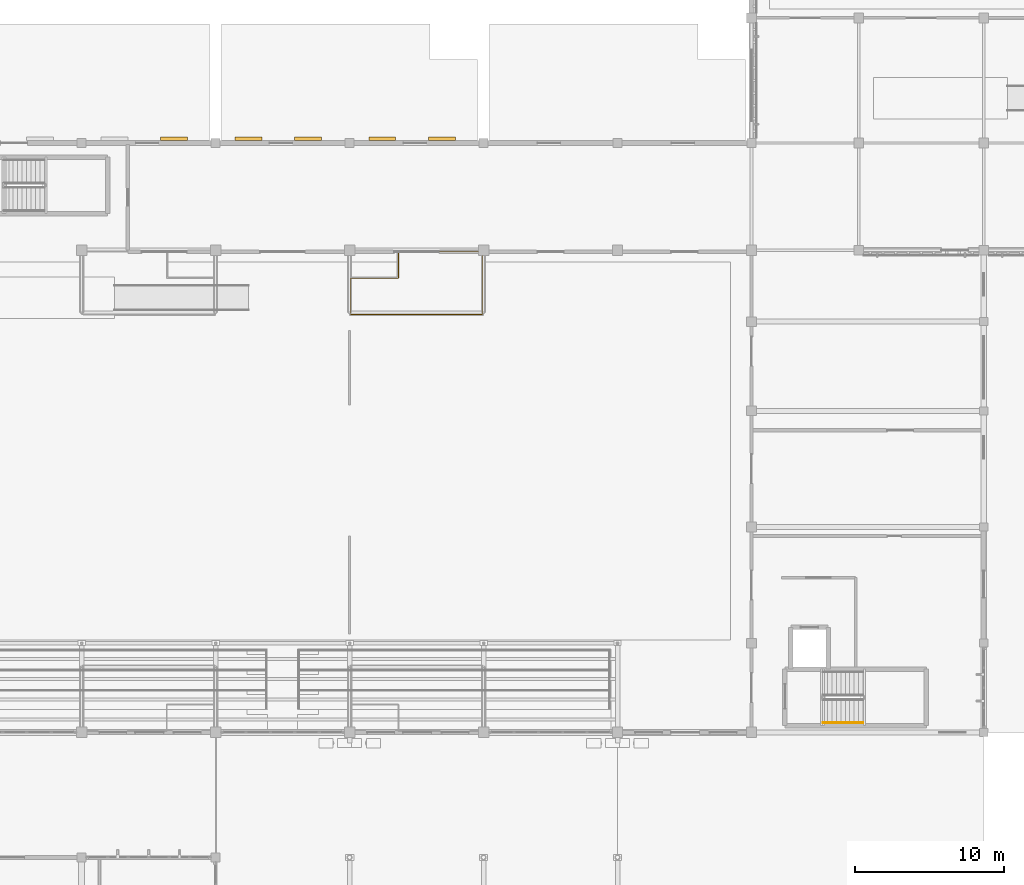
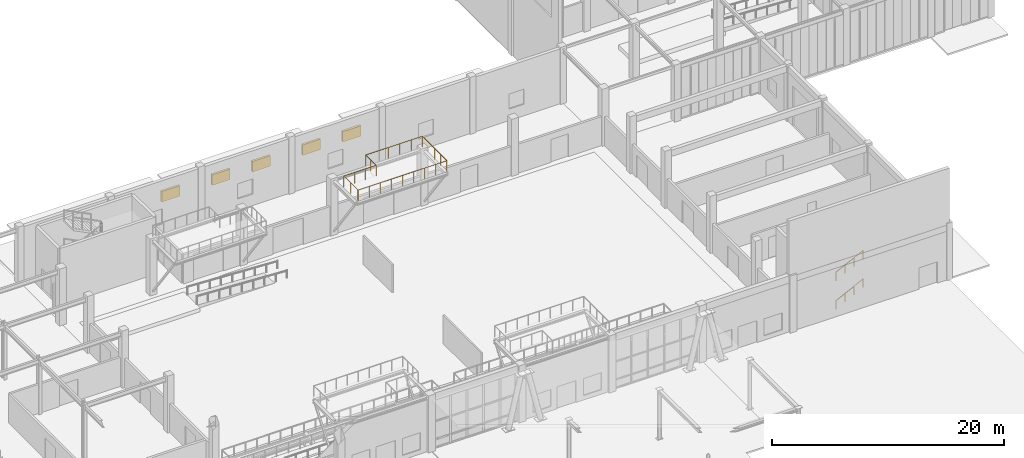
# One storey, part 105 of 110: 5 shading devices, 3 railings.
"""IFC4 building model written with IfcOpenShell, lengths in metres."""

from ifc_helpers import new_model, si_unit, direction, frame, origin, origin_2d, place, context, subcontext, project, spatial, rectangle, circle, extrude, material, type_object, element, save


model = new_model("IFC4")

# Units and contexts
model_context = context("Model", 3, precision=1e-05, world=origin(), true_north=direction((0.0, 1.0)))
body_context = subcontext(model_context, "Body", "Model", "MODEL_VIEW")
ifc_project = project(units=[si_unit("LENGTHUNIT", "METRE"), si_unit("AREAUNIT", "SQUARE_METRE"), si_unit("VOLUMEUNIT", "CUBIC_METRE"), si_unit("PLANEANGLEUNIT", "RADIAN"), si_unit("MASSUNIT", "GRAM", prefix="KILO")], contexts=[model_context])

# Site, building, storey
site_placement = place(None, origin())
site = spatial("IfcSite", under=ifc_project, at=site_placement, CompositionType="ELEMENT")
building_placement = place(site_placement, origin())
building = spatial("IfcBuilding", under=site, at=building_placement, Name="Tizgana Railside Sports Hall", CompositionType="ELEMENT")
storey_placement = place(building_placement, origin())
storey = spatial("IfcBuildingStorey", under=building, at=storey_placement, Name="L00", CompositionType="ELEMENT", Elevation=0.0)

# Shading devices
ifc_material_1 = material(Name="Anodised aluminium", Category="aluminium")
shading_device_type = type_object("IfcShadingDeviceType", Name="Plant Acoustic Weather Louvre", PredefinedType="JALOUSIE", material=ifc_material_1)
for number, where, z_axis, x_axis, name in (
    (1, (95.0, 80.679931640625, 3.25), (0.0, 0.0, 1.0), (1.0, 0.0, 0.0), "L00 Plant Louvre LVR-0004"),
    (2, (100.0, 80.679931640625, 3.25), (0.0, 0.0, 1.0), (1.0, 0.0, 0.0), "L00 Plant Louvre LVR-0005"),
    (3, (104.0, 80.679931640625, 3.25), (0.0, 0.0, 1.0), (1.0, 0.0, 0.0), "L00 Plant Louvre LVR-0006"),
    (4, (109.0, 80.679931640625, 3.25), (0.0, 0.0, 1.0), (1.0, 0.0, 0.0), "L00 Plant Louvre LVR-0007"),
    (5, (113.0, 80.679931640625, 3.25), (0.0, 0.0, 1.0), (1.0, 0.0, 0.0), "L00 Plant Louvre LVR-0008"),
):
    element("IfcShadingDevice", number, at=place(storey_placement, frame(where, z_axis=z_axis, x_axis=x_axis)), inside=storey, type_object=shading_device_type, Name=name, PredefinedType="JALOUSIE", context=body_context, shape_type="SweptSolid", body=[
        extrude(rectangle(XDim=1.800048828125, YDim=0.219970703125, at=origin_2d()), origin(), (0.0, 0.0, 1.0), 1.10009765625),
    ])

# Railings
ifc_material_2 = material(Name="Brushed stainless steel", Category="steel")
railing_type_1 = type_object("IfcRailingType", Name="Stair & Ramp Wall Handrail 900", PredefinedType="HANDRAIL", material=ifc_material_2)
for number, where, name in (
    (6, (138.60009765625, 41.449951171875, 0.14990234375), "L00 ST-05 stair handrail 1"),
    (7, (138.60009765625, 41.449951171875, 3.14990234375), "L00 ST-05 stair handrail 3"),
):
    element("IfcRailing", number, at=place(storey_placement, frame(where)), inside=storey, type_object=railing_type_1, Name=name, PredefinedType="HANDRAIL", context=body_context, shape_type="SweptSolid", body=[
        extrude(circle(Radius=0.02392578125, at=origin_2d()), frame((0.0, 0.0, 0.8759765625), z_axis=(0.894411015155, 0.0, 0.447245945728), x_axis=(0.0, 1.0, 0.0)), (0.0, 0.0, 1.0), 3.018798828125),
        extrude(circle(Radius=0.02099609375, at=origin_2d()), origin(), (0.0, 0.0, 1.0), 0.851806640625),
        extrude(circle(Radius=0.02099609375, at=origin_2d()), frame((0.89990234375, 0.0, 0.449951171875)), (0.0, 0.0, 1.0), 0.851806640625),
        extrude(circle(Radius=0.02099609375, at=origin_2d()), frame((1.800048828125, 0.0, 0.900146484375)), (0.0, 0.0, 1.0), 0.851806640625),
        extrude(circle(Radius=0.02099609375, at=origin_2d()), frame((2.699951171875, 0.0, 1.35009765625)), (0.0, 0.0, 1.0), 0.851806640625),
    ])
railing_type_2 = type_object("IfcRailingType", Name="Terrace & Track Guard 1150", PredefinedType="BALUSTRADE", material=ifc_material_1)
railing_placement = place(storey_placement, frame((106.8798828125, 68.8798828125, 6.0)))
element("IfcRailing", 8, at=railing_placement, inside=storey, type_object=railing_type_2, Name="L00 V2 Court2 Catwalk NE Guard", PredefinedType="BALUSTRADE", context=body_context, shape_type="SweptSolid", body=[
    extrude(circle(Radius=0.02392578125, at=origin_2d()), frame((0.0, 0.0, 1.1259765625), z_axis=(1.0, 0.0, 0.0), x_axis=(0.0, 1.0, 0.0)), (0.0, 0.0, 1.0), 8.840087890625),
    extrude(circle(Radius=0.02392578125, at=origin_2d()), frame((8.840087890625, 0.0, 1.1259765625), z_axis=(0.0, 1.0, 0.0), x_axis=(-1.0, 0.0, 0.0)), (0.0, 0.0, 1.0), 4.240234375),
    extrude(circle(Radius=0.02392578125, at=origin_2d()), frame((8.840087890625, 4.240234375, 1.1259765625), z_axis=(-1.0, 0.0, 0.0), x_axis=(0.0, -1.0, 0.0)), (0.0, 0.0, 1.0), 5.639892578125),
    extrude(circle(Radius=0.02392578125, at=origin_2d()), frame((3.2001953125, 4.240234375, 1.1259765625), z_axis=(0.0, -1.0, 0.0), x_axis=(1.0, 0.0, 0.0)), (0.0, 0.0, 1.0), 1.800048828125),
    extrude(circle(Radius=0.02392578125, at=origin_2d()), frame((3.2001953125, 2.440185546875, 1.1259765625), z_axis=(-1.0, 0.0, 0.0), x_axis=(0.0, -1.0, 0.0)), (0.0, 0.0, 1.0), 3.2001953125),
    extrude(circle(Radius=0.02392578125, at=origin_2d()), frame((0.0, 2.440185546875, 1.1259765625), z_axis=(0.0, -1.0, 0.0), x_axis=(1.0, 0.0, 0.0)), (0.0, 0.0, 1.0), 2.360107421875),
    extrude(circle(Radius=0.02099609375, at=origin_2d()), origin(), (0.0, 0.0, 1.0), 1.101806640625),
    extrude(circle(Radius=0.02099609375, at=origin_2d()), frame((1.10498046875, 0.0, 0.0)), (0.0, 0.0, 1.0), 1.101806640625),
    extrude(circle(Radius=0.02099609375, at=origin_2d()), frame((2.2099609375, 0.0, 0.0)), (0.0, 0.0, 1.0), 1.101806640625),
    extrude(circle(Radius=0.02099609375, at=origin_2d()), frame((3.31494140625, 0.0, 0.0)), (0.0, 0.0, 1.0), 1.101806640625),
    extrude(circle(Radius=0.02099609375, at=origin_2d()), frame((4.419921875, 0.0, 0.0)), (0.0, 0.0, 1.0), 1.101806640625),
    extrude(circle(Radius=0.02099609375, at=origin_2d()), frame((5.525146484375, 0.0, 0.0)), (0.0, 0.0, 1.0), 1.101806640625),
    extrude(circle(Radius=0.02099609375, at=origin_2d()), frame((6.630126953125, 0.0, 0.0)), (0.0, 0.0, 1.0), 1.101806640625),
    extrude(circle(Radius=0.02099609375, at=origin_2d()), frame((7.735107421875, 0.0, 0.0)), (0.0, 0.0, 1.0), 1.101806640625),
    extrude(circle(Radius=0.02099609375, at=origin_2d()), frame((8.840087890625, 0.0, 0.0)), (0.0, 0.0, 1.0), 1.101806640625),
    extrude(circle(Radius=0.02099609375, at=origin_2d()), frame((8.840087890625, 1.06005859375, 0.0)), (0.0, 0.0, 1.0), 1.101806640625),
    extrude(circle(Radius=0.02099609375, at=origin_2d()), frame((8.840087890625, 2.1201171875, 0.0)), (0.0, 0.0, 1.0), 1.101806640625),
    extrude(circle(Radius=0.02099609375, at=origin_2d()), frame((8.840087890625, 3.18017578125, 0.0)), (0.0, 0.0, 1.0), 1.101806640625),
    extrude(circle(Radius=0.02099609375, at=origin_2d()), frame((8.840087890625, 4.240234375, 0.0)), (0.0, 0.0, 1.0), 1.101806640625),
    extrude(circle(Radius=0.02099609375, at=origin_2d()), frame((7.712158203125, 4.240234375, 0.0)), (0.0, 0.0, 1.0), 1.101806640625),
    extrude(circle(Radius=0.02099609375, at=origin_2d()), frame((6.584228515625, 4.240234375, 0.0)), (0.0, 0.0, 1.0), 1.101806640625),
    extrude(circle(Radius=0.02099609375, at=origin_2d()), frame((5.4560546875, 4.240234375, 0.0)), (0.0, 0.0, 1.0), 1.101806640625),
    extrude(circle(Radius=0.02099609375, at=origin_2d()), frame((4.328125, 4.240234375, 0.0)), (0.0, 0.0, 1.0), 1.101806640625),
    extrude(circle(Radius=0.02099609375, at=origin_2d()), frame((3.2001953125, 4.240234375, 0.0)), (0.0, 0.0, 1.0), 1.101806640625),
    extrude(circle(Radius=0.02099609375, at=origin_2d()), frame((3.2001953125, 3.34033203125, 0.0)), (0.0, 0.0, 1.0), 1.101806640625),
    extrude(circle(Radius=0.02099609375, at=origin_2d()), frame((3.2001953125, 2.440185546875, 0.0)), (0.0, 0.0, 1.0), 1.101806640625),
    extrude(circle(Radius=0.02099609375, at=origin_2d()), frame((2.133544921875, 2.440185546875, 0.0)), (0.0, 0.0, 1.0), 1.101806640625),
    extrude(circle(Radius=0.02099609375, at=origin_2d()), frame((1.066650390625, 2.440185546875, 0.0)), (0.0, 0.0, 1.0), 1.101806640625),
    extrude(circle(Radius=0.02099609375, at=origin_2d()), frame((0.0, 2.440185546875, 0.0)), (0.0, 0.0, 1.0), 1.101806640625),
    extrude(circle(Radius=0.02099609375, at=origin_2d()), frame((0.0, 1.26025390625, 0.0)), (0.0, 0.0, 1.0), 1.101806640625),
    extrude(circle(Radius=0.02099609375, at=origin_2d()), frame((0.0, 0.080078125, 0.0)), (0.0, 0.0, 1.0), 1.101806640625),
])

save(model, "model.ifc")
